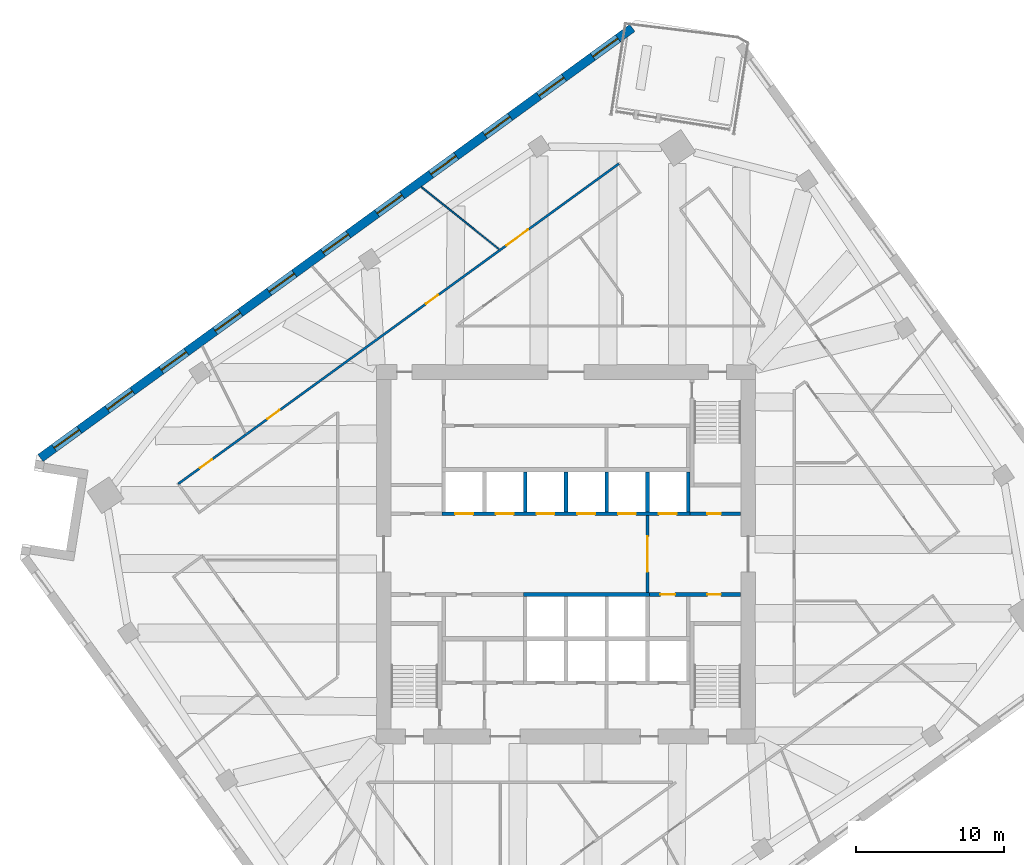
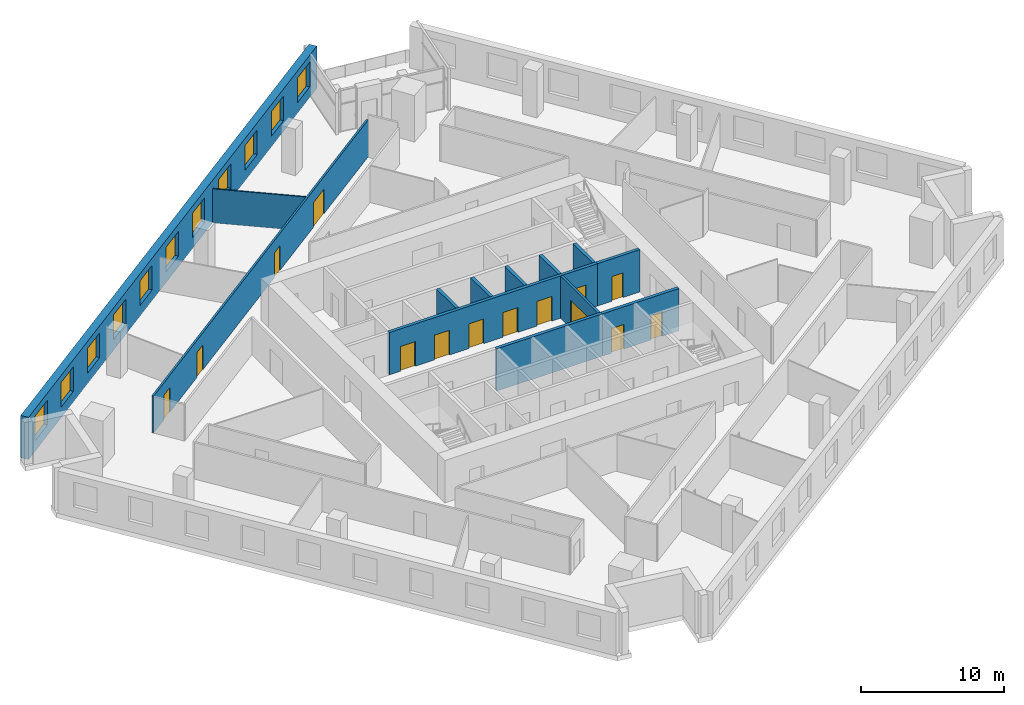
# One storey, part 7 of 11: 14 doors, 13 walls, 11 windows, 25 openings.
"""IFC4 building model written with IfcOpenShell, lengths in metres."""

from ifc_helpers import new_model, si_unit, direction, frame, frame_2d, origin, place, context, subcontext, project, spatial, rectangle, extrude, material, layer, layer_set, type_object, element, fill, save


model = new_model("IFC4")

# Units and contexts
model_context = context("Model", 3, precision=1e-05, world=origin(), true_north=direction((0.0, 1.0)))
body_context = subcontext(model_context, "Body", "Model", "MODEL_VIEW")
ifc_project = project(units=[si_unit("LENGTHUNIT", "METRE"), si_unit("AREAUNIT", "SQUARE_METRE"), si_unit("VOLUMEUNIT", "CUBIC_METRE"), si_unit("PLANEANGLEUNIT", "RADIAN"), si_unit("MASSUNIT", "GRAM", prefix="KILO")], contexts=[model_context])

# Site, building, storey
site_placement = place(None, origin())
site = spatial("IfcSite", under=ifc_project, at=site_placement, CompositionType="ELEMENT")
building_placement = place(site_placement, origin())
building = spatial("IfcBuilding", under=site, at=building_placement, Name="Dilmun Exchange Tower", CompositionType="ELEMENT")
storey_placement = place(building_placement, frame((0.0, 0.0, 167.699951171875)))
storey = spatial("IfcBuildingStorey", under=building, at=storey_placement, Name="L39", CompositionType="ELEMENT", Elevation=167.699951171875)

# Wall, opening, door
ifc_material_1 = material(Name="Concrete C40/50", Category="concrete")
ifc_layer_1 = layer(ifc_material_1, 0.199951171875)
ifc_layer_set_1 = layer_set([ifc_layer_1], Name="Concrete C40/50")
wall_type_1 = type_object("IfcWallType", Name="Core partition wall 200", PredefinedType="PARTITIONING", material=ifc_layer_set_1)
wall_1_placement = place(storey_placement, frame((5.5, -2.594970703125, 0.0), z_axis=(0.0, 0.0, 1.0), x_axis=(0.0, 1.0, 0.0)))
wall_1 = element("IfcWall", 1, at=wall_1_placement, inside=storey, type_object=wall_type_1, Name="L39 core partition wall 11", PredefinedType="PARTITIONING", context=body_context, shape_type="SweptSolid", body=[
    extrude(rectangle(XDim=5.18994140625, YDim=0.199951171875, at=frame_2d((2.594970703125, 0.0))), origin(), (0.0, 0.0, 1.0), 3.60009765625),
])
opening_1_placement = place(wall_1_placement, frame((1.39501953125, 0.0, 0.0)))
opening_1 = element("IfcOpeningElement", 2, at=opening_1_placement, cuts=wall_1, Name="Opening CD1", PredefinedType="OPENING", context=body_context, shape_type="SweptSolid", body=[
    extrude(rectangle(XDim=2.39990234375, YDim=2.39990234375, at=frame_2d((1.199951171875, 1.199951171875))), frame((0.0, 0.10986328125, 0.0), z_axis=(0.0, -1.0, 0.0), x_axis=(1.0, 0.0, 0.0)), (0.0, 0.0, 1.0), 0.219970703125),
])
ifc_material_2 = material(Name="Fire-rated steel door set", Category="steel")
door_type_1 = type_object("IfcDoorType", Name="Core lobby door 2400x2400", OperationType="DOUBLE_DOOR_DOUBLE_SWING", PredefinedType="DOOR", material=ifc_material_2)
door_1_placement = place(opening_1_placement, origin())
door_1 = element("IfcDoor", 3, at=door_1_placement, inside=storey, type_object=door_type_1, Name="L39 door Lift lobby east", OperationType="DOUBLE_DOOR_DOUBLE_SWING", OverallHeight=2.39990234375, OverallWidth=2.39990234375, PredefinedType="DOOR", context=body_context, shape_type="SweptSolid", body=[
    extrude(rectangle(XDim=2.39990234375, YDim=2.39990234375, at=frame_2d((1.199951171875, 1.199951171875))), frame((0.0, 0.02490234375, 0.0), z_axis=(0.0, -1.0, 0.0), x_axis=(1.0, 0.0, 0.0)), (0.0, 0.0, 1.0), 0.050048828125),
])
fill(opening_1, door_1)

# Wall, openings, doors
ifc_layer_2 = layer(ifc_material_1, 0.25)
ifc_layer_set_2 = layer_set([ifc_layer_2], Name="Concrete C40/50")
wall_type_2 = type_object("IfcWallType", Name="Core partition wall 250", PredefinedType="PARTITIONING", material=ifc_layer_set_2)
wall_2_placement = place(storey_placement, frame((5.6298828125, -2.72509765625, 0.0), z_axis=(0.0, 0.0, 1.0), x_axis=(1.0, 0.0, 0.0)))
wall_2 = element("IfcWall", 4, at=wall_2_placement, inside=storey, type_object=wall_type_2, Name="L39 core partition wall 10", PredefinedType="PARTITIONING", context=body_context, shape_type="SweptSolid", body=[
    extrude(rectangle(XDim=6.1650390625, YDim=0.25, at=frame_2d((3.08251953125, 0.0))), origin(), (0.0, 0.0, 1.0), 3.60009765625),
])
opening_2_placement = place(wall_2_placement, frame((0.7451171875, 0.0, 0.0)))
opening_2 = element("IfcOpeningElement", 5, at=opening_2_placement, cuts=wall_2, Name="Opening CD4", PredefinedType="OPENING", context=body_context, shape_type="SweptSolid", body=[
    extrude(rectangle(XDim=1.0, YDim=2.10009765625, at=frame_2d((0.5, 1.050048828125))), frame((0.0, 0.135009765625, 0.0), z_axis=(0.0, -1.0, 0.0), x_axis=(1.0, 0.0, 0.0)), (0.0, 0.0, 1.0), 0.27001953125),
])
opening_3_placement = place(wall_2_placement, frame((3.919921875, 0.0, 0.0)))
opening_3 = element("IfcOpeningElement", 6, at=opening_3_placement, cuts=wall_2, Name="Opening CD6", PredefinedType="OPENING", context=body_context, shape_type="SweptSolid", body=[
    extrude(rectangle(XDim=0.89990234375, YDim=2.10009765625, at=frame_2d((0.449951171875, 1.050048828125))), frame((0.0, 0.135009765625, 0.0), z_axis=(0.0, -1.0, 0.0), x_axis=(1.0, 0.0, 0.0)), (0.0, 0.0, 1.0), 0.27001953125),
])
door_type_2 = type_object("IfcDoorType", Name="Core room door 1000x2100", OperationType="SINGLE_SWING_LEFT", PredefinedType="DOOR", material=ifc_material_2)
door_2_placement = place(opening_2_placement, origin())
door_2 = element("IfcDoor", 7, at=door_2_placement, inside=storey, type_object=door_type_2, Name="L39 door Cleaners' store", OperationType="SINGLE_SWING_RIGHT", OverallHeight=2.10009765625, OverallWidth=1.0, PredefinedType="DOOR", context=body_context, shape_type="SweptSolid", body=[
    extrude(rectangle(XDim=1.0, YDim=2.10009765625, at=frame_2d((0.5, 1.050048828125))), frame((0.0, 0.02490234375, 0.0), z_axis=(0.0, -1.0, 0.0), x_axis=(1.0, 0.0, 0.0)), (0.0, 0.0, 1.0), 0.050048828125),
])
fill(opening_2, door_2)
door_type_3 = type_object("IfcDoorType", Name="Core room door 900x2100", OperationType="SINGLE_SWING_LEFT", PredefinedType="DOOR", material=ifc_material_2)
door_3_placement = place(opening_3_placement, origin())
door_3 = element("IfcDoor", 8, at=door_3_placement, inside=storey, type_object=door_type_3, Name="L39 door Comms riser", OperationType="SINGLE_SWING_RIGHT", OverallHeight=2.10009765625, OverallWidth=0.89990234375, PredefinedType="DOOR", context=body_context, shape_type="SweptSolid", body=[
    extrude(rectangle(XDim=0.89990234375, YDim=2.10009765625, at=frame_2d((0.449951171875, 1.050048828125))), frame((0.0, 0.02490234375, 0.0), z_axis=(0.0, -1.0, 0.0), x_axis=(1.0, 0.0, 0.0)), (0.0, 0.0, 1.0), 0.050048828125),
])
fill(opening_3, door_3)

# Wall, opening, door
wall_3_placement = place(storey_placement, frame((8.3798828125, 2.72509765625, 0.0), z_axis=(0.0, 0.0, 1.0), x_axis=(1.0, 0.0, 0.0)))
wall_3 = element("IfcWall", 9, at=wall_3_placement, inside=storey, type_object=wall_type_2, Name="L39 core partition wall 13", PredefinedType="PARTITIONING", context=body_context, shape_type="SweptSolid", body=[
    extrude(rectangle(XDim=3.4150390625, YDim=0.25, at=frame_2d((1.70751953125, 0.0))), origin(), (0.0, 0.0, 1.0), 3.60009765625),
])
opening_4_placement = place(wall_3_placement, frame((1.169921875, 0.0, 0.0)))
opening_4 = element("IfcOpeningElement", 10, at=opening_4_placement, cuts=wall_3, Name="Opening CD6", PredefinedType="OPENING", context=body_context, shape_type="SweptSolid", body=[
    extrude(rectangle(XDim=0.89990234375, YDim=2.10009765625, at=frame_2d((0.449951171875, 1.050048828125))), frame((0.0, 0.135009765625, 0.0), z_axis=(0.0, -1.0, 0.0), x_axis=(1.0, 0.0, 0.0)), (0.0, 0.0, 1.0), 0.27001953125),
])
door_4_placement = place(opening_4_placement, origin())
door_4 = element("IfcDoor", 11, at=door_4_placement, inside=storey, type_object=door_type_3, Name="L39 door Electrical riser", OperationType="SINGLE_SWING_RIGHT", OverallHeight=2.10009765625, OverallWidth=0.89990234375, PredefinedType="DOOR", context=body_context, shape_type="SweptSolid", body=[
    extrude(rectangle(XDim=0.89990234375, YDim=2.10009765625, at=frame_2d((0.449951171875, 1.050048828125))), frame((0.0, 0.02490234375, 0.0), z_axis=(0.0, -1.0, 0.0), x_axis=(1.0, 0.0, 0.0)), (0.0, 0.0, 1.0), 0.050048828125),
])
fill(opening_4, door_4)

# Wall, openings, doors
ifc_material_3 = material(Name="Corridor wall 150")
ifc_layer_3 = layer(ifc_material_3, 0.14990234375)
ifc_layer_set_3 = layer_set([ifc_layer_3], Name="Corridor wall 150")
wall_type_3 = type_object("IfcWallType", Name="Corridor wall 150", PredefinedType="PARTITIONING", material=ifc_layer_set_3)
wall_4_placement = place(storey_placement, frame((-26.166015625, 4.7490234375, 0.0), z_axis=(0.0, 0.0, 1.0), x_axis=(0.809023795939, 0.587775890628, 0.0)))
wall_4 = element("IfcWall", 12, at=wall_4_placement, inside=storey, type_object=wall_type_3, Name="Corridor wall", PredefinedType="PARTITIONING", context=body_context, shape_type="SweptSolid", body=[
    extrude(rectangle(XDim=36.755615234375, YDim=0.14990234375, at=frame_2d((18.3779296875, 0.0))), origin(), (0.0, 0.0, 1.0), 3.150146484375),
])
opening_5_placement = place(wall_4_placement, frame((1.800048828125, 0.0, 0.0)))
opening_5 = element("IfcOpeningElement", 13, at=opening_5_placement, cuts=wall_4, Name="Opening TF38-D02", PredefinedType="OPENING", context=body_context, shape_type="SweptSolid", body=[
    extrude(rectangle(XDim=1.0, YDim=2.10009765625, at=frame_2d((0.5, 1.050048828125))), frame((0.0, 0.0849609375, 0.0), z_axis=(0.0, -1.0, 0.0), x_axis=(1.0, 0.0, 0.0)), (0.0, 0.0, 1.0), 0.169921875),
])
opening_6_placement = place(wall_4_placement, frame((7.453369140625, 0.0, 0.0)))
opening_6 = element("IfcOpeningElement", 14, at=opening_6_placement, cuts=wall_4, Name="Opening TF38-D04", PredefinedType="OPENING", context=body_context, shape_type="SweptSolid", body=[
    extrude(rectangle(XDim=1.0, YDim=2.10009765625, at=frame_2d((0.5, 1.050048828125))), frame((0.0, 0.0849609375, 0.0), z_axis=(0.0, -1.0, 0.0), x_axis=(1.0, 0.0, 0.0)), (0.0, 0.0, 1.0), 0.169921875),
])
opening_7_placement = place(wall_4_placement, frame((20.670654296875, 0.0, 0.0)))
opening_7 = element("IfcOpeningElement", 15, at=opening_7_placement, cuts=wall_4, Name="Opening TF38-D06", PredefinedType="OPENING", context=body_context, shape_type="SweptSolid", body=[
    extrude(rectangle(XDim=1.0, YDim=2.10009765625, at=frame_2d((0.5, 1.050048828125))), frame((0.0, 0.0849609375, 0.0), z_axis=(0.0, -1.0, 0.0), x_axis=(1.0, 0.0, 0.0)), (0.0, 0.0, 1.0), 0.169921875),
])
opening_8_placement = place(wall_4_placement, frame((27.3818359375, 0.0, 0.0)))
opening_8 = element("IfcOpeningElement", 16, at=opening_8_placement, cuts=wall_4, Name="Opening TF38-D13", PredefinedType="OPENING", context=body_context, shape_type="SweptSolid", body=[
    extrude(rectangle(XDim=1.800048828125, YDim=2.10009765625, at=frame_2d((0.89990234375, 1.050048828125))), frame((0.0, 0.0849609375, 0.0), z_axis=(0.0, -1.0, 0.0), x_axis=(1.0, 0.0, 0.0)), (0.0, 0.0, 1.0), 0.169921875),
])
ifc_material_4 = material(Name="Fire door 1000 x 2100")
door_type_4 = type_object("IfcDoorType", Name="Fire door 1000 x 2100", OperationType="NOTDEFINED", PredefinedType="DOOR", material=ifc_material_4)
door_5_placement = place(opening_5_placement, origin())
door_5 = element("IfcDoor", 17, at=door_5_placement, inside=storey, type_object=door_type_4, Name="Door TF38-D02", OperationType="SINGLE_SWING_RIGHT", OverallHeight=2.10009765625, OverallWidth=1.0, PredefinedType="DOOR", context=body_context, shape_type="SweptSolid", body=[
    extrude(rectangle(XDim=1.0, YDim=2.10009765625, at=frame_2d((0.5, 1.050048828125))), frame((0.0, 0.02490234375, 0.0), z_axis=(0.0, -1.0, 0.0), x_axis=(1.0, 0.0, 0.0)), (0.0, 0.0, 1.0), 0.050048828125),
])
fill(opening_5, door_5)
door_6_placement = place(opening_6_placement, origin())
door_6 = element("IfcDoor", 18, at=door_6_placement, inside=storey, type_object=door_type_4, Name="Door TF38-D04", OperationType="SINGLE_SWING_LEFT", OverallHeight=2.10009765625, OverallWidth=1.0, PredefinedType="DOOR", context=body_context, shape_type="SweptSolid", body=[
    extrude(rectangle(XDim=1.0, YDim=2.10009765625, at=frame_2d((0.5, 1.050048828125))), frame((0.0, 0.02490234375, 0.0), z_axis=(0.0, -1.0, 0.0), x_axis=(1.0, 0.0, 0.0)), (0.0, 0.0, 1.0), 0.050048828125),
])
fill(opening_6, door_6)
door_7_placement = place(opening_7_placement, origin())
door_7 = element("IfcDoor", 19, at=door_7_placement, inside=storey, type_object=door_type_4, Name="Door TF38-D06", OperationType="SINGLE_SWING_LEFT", OverallHeight=2.10009765625, OverallWidth=1.0, PredefinedType="DOOR", context=body_context, shape_type="SweptSolid", body=[
    extrude(rectangle(XDim=1.0, YDim=2.10009765625, at=frame_2d((0.5, 1.050048828125))), frame((0.0, 0.02490234375, 0.0), z_axis=(0.0, -1.0, 0.0), x_axis=(1.0, 0.0, 0.0)), (0.0, 0.0, 1.0), 0.050048828125),
])
fill(opening_7, door_7)
ifc_material_5 = material(Name="Fire door pair 1800 x 2100")
door_type_5 = type_object("IfcDoorType", Name="Fire door pair 1800 x 2100", OperationType="NOTDEFINED", PredefinedType="DOOR", material=ifc_material_5)
door_8_placement = place(opening_8_placement, origin())
door_8 = element("IfcDoor", 20, at=door_8_placement, inside=storey, type_object=door_type_5, Name="Door TF38-D13", OperationType="DOUBLE_DOOR_SINGLE_SWING", OverallHeight=2.10009765625, OverallWidth=1.800048828125, PredefinedType="DOOR", context=body_context, shape_type="SweptSolid", body=[
    extrude(rectangle(XDim=1.800048828125, YDim=2.10009765625, at=frame_2d((0.89990234375, 1.050048828125))), frame((0.0, 0.02490234375, 0.0), z_axis=(0.0, -1.0, 0.0), x_axis=(1.0, 0.0, 0.0)), (0.0, 0.0, 1.0), 0.050048828125),
])
fill(opening_8, door_8)

ifc_layer_4 = layer(ifc_material_1, 0.25)
ifc_layer_set_4 = layer_set([ifc_layer_4], Name="Concrete C40/50")
wall_type_4 = type_object("IfcWallType", Name="Lift shaft wall 250", PredefinedType="SOLIDWALL", material=ifc_layer_set_4)
wall_5_placement = place(storey_placement, frame((-8.375, 2.72509765625, 0.0), z_axis=(0.0, 0.0, 1.0), x_axis=(1.0, 0.0, 0.0)))
wall_5 = element("IfcWall", 21, at=wall_5_placement, inside=storey, type_object=wall_type_4, Name="L39 lift shaft front wall N1", PredefinedType="SOLIDWALL", context=body_context, shape_type="SweptSolid", body=[
    extrude(rectangle(XDim=16.75, YDim=0.25, at=frame_2d((8.375, 0.0))), origin(), (0.0, 0.0, 1.0), 3.60009765625),
])
opening_9_placement = place(wall_5_placement, frame((0.89990234375, 0.0, 0.0)))
opening_9 = element("IfcOpeningElement", 22, at=opening_9_placement, cuts=wall_5, Name="Opening LD", PredefinedType="OPENING", context=body_context, shape_type="SweptSolid", body=[
    extrude(rectangle(XDim=1.199951171875, YDim=2.10009765625, at=frame_2d((0.60009765625, 1.050048828125))), frame((0.0, 0.135009765625, 0.0), z_axis=(0.0, -1.0, 0.0), x_axis=(1.0, 0.0, 0.0)), (0.0, 0.0, 1.0), 0.27001953125),
])
opening_10_placement = place(wall_5_placement, frame((3.64990234375, 0.0, 0.0)))
opening_10 = element("IfcOpeningElement", 23, at=opening_10_placement, cuts=wall_5, Name="Opening LD", PredefinedType="OPENING", context=body_context, shape_type="SweptSolid", body=[
    extrude(rectangle(XDim=1.199951171875, YDim=2.10009765625, at=frame_2d((0.60009765625, 1.050048828125))), frame((0.0, 0.135009765625, 0.0), z_axis=(0.0, -1.0, 0.0), x_axis=(1.0, 0.0, 0.0)), (0.0, 0.0, 1.0), 0.27001953125),
])
opening_11_placement = place(wall_5_placement, frame((6.39990234375, 0.0, 0.0)))
opening_11 = element("IfcOpeningElement", 24, at=opening_11_placement, cuts=wall_5, Name="Opening LD", PredefinedType="OPENING", context=body_context, shape_type="SweptSolid", body=[
    extrude(rectangle(XDim=1.199951171875, YDim=2.10009765625, at=frame_2d((0.60009765625, 1.050048828125))), frame((0.0, 0.135009765625, 0.0), z_axis=(0.0, -1.0, 0.0), x_axis=(1.0, 0.0, 0.0)), (0.0, 0.0, 1.0), 0.27001953125),
])
opening_12_placement = place(wall_5_placement, frame((9.14990234375, 0.0, 0.0)))
opening_12 = element("IfcOpeningElement", 25, at=opening_12_placement, cuts=wall_5, Name="Opening LD", PredefinedType="OPENING", context=body_context, shape_type="SweptSolid", body=[
    extrude(rectangle(XDim=1.199951171875, YDim=2.10009765625, at=frame_2d((0.60009765625, 1.050048828125))), frame((0.0, 0.135009765625, 0.0), z_axis=(0.0, -1.0, 0.0), x_axis=(1.0, 0.0, 0.0)), (0.0, 0.0, 1.0), 0.27001953125),
])
opening_13_placement = place(wall_5_placement, frame((11.89990234375, 0.0, 0.0)))
opening_13 = element("IfcOpeningElement", 26, at=opening_13_placement, cuts=wall_5, Name="Opening LD", PredefinedType="OPENING", context=body_context, shape_type="SweptSolid", body=[
    extrude(rectangle(XDim=1.199951171875, YDim=2.10009765625, at=frame_2d((0.60009765625, 1.050048828125))), frame((0.0, 0.135009765625, 0.0), z_axis=(0.0, -1.0, 0.0), x_axis=(1.0, 0.0, 0.0)), (0.0, 0.0, 1.0), 0.27001953125),
])
opening_14_placement = place(wall_5_placement, frame((14.64990234375, 0.0, 0.0)))
opening_14 = element("IfcOpeningElement", 27, at=opening_14_placement, cuts=wall_5, Name="Opening LD", PredefinedType="OPENING", context=body_context, shape_type="SweptSolid", body=[
    extrude(rectangle(XDim=1.199951171875, YDim=2.10009765625, at=frame_2d((0.60009765625, 1.050048828125))), frame((0.0, 0.135009765625, 0.0), z_axis=(0.0, -1.0, 0.0), x_axis=(1.0, 0.0, 0.0)), (0.0, 0.0, 1.0), 0.27001953125),
])
door_type_6 = type_object("IfcDoorType", Name="Lift landing door 1200x2100", OperationType="DOUBLE_DOOR_SLIDING", PredefinedType="DOOR", material=ifc_material_2)
door_9_placement = place(opening_9_placement, origin())
door_9 = element("IfcDoor", 28, at=door_9_placement, inside=storey, type_object=door_type_6, Name="L39 landing door MR1", OperationType="DOUBLE_DOOR_SLIDING", OverallHeight=2.10009765625, OverallWidth=1.199951171875, PredefinedType="DOOR", context=body_context, shape_type="SweptSolid", body=[
    extrude(rectangle(XDim=1.199951171875, YDim=2.10009765625, at=frame_2d((0.60009765625, 1.050048828125))), frame((0.0, 0.02490234375, 0.0), z_axis=(0.0, -1.0, 0.0), x_axis=(1.0, 0.0, 0.0)), (0.0, 0.0, 1.0), 0.050048828125),
])
fill(opening_9, door_9)
door_10_placement = place(opening_10_placement, origin())
door_10 = element("IfcDoor", 29, at=door_10_placement, inside=storey, type_object=door_type_6, Name="L39 landing door MR2", OperationType="DOUBLE_DOOR_SLIDING", OverallHeight=2.10009765625, OverallWidth=1.199951171875, PredefinedType="DOOR", context=body_context, shape_type="SweptSolid", body=[
    extrude(rectangle(XDim=1.199951171875, YDim=2.10009765625, at=frame_2d((0.60009765625, 1.050048828125))), frame((0.0, 0.02490234375, 0.0), z_axis=(0.0, -1.0, 0.0), x_axis=(1.0, 0.0, 0.0)), (0.0, 0.0, 1.0), 0.050048828125),
])
fill(opening_10, door_10)
door_11_placement = place(opening_11_placement, origin())
door_11 = element("IfcDoor", 30, at=door_11_placement, inside=storey, type_object=door_type_6, Name="L39 landing door MR3", OperationType="DOUBLE_DOOR_SLIDING", OverallHeight=2.10009765625, OverallWidth=1.199951171875, PredefinedType="DOOR", context=body_context, shape_type="SweptSolid", body=[
    extrude(rectangle(XDim=1.199951171875, YDim=2.10009765625, at=frame_2d((0.60009765625, 1.050048828125))), frame((0.0, 0.02490234375, 0.0), z_axis=(0.0, -1.0, 0.0), x_axis=(1.0, 0.0, 0.0)), (0.0, 0.0, 1.0), 0.050048828125),
])
fill(opening_11, door_11)
door_12_placement = place(opening_12_placement, origin())
door_12 = element("IfcDoor", 31, at=door_12_placement, inside=storey, type_object=door_type_6, Name="L39 landing door MR4", OperationType="DOUBLE_DOOR_SLIDING", OverallHeight=2.10009765625, OverallWidth=1.199951171875, PredefinedType="DOOR", context=body_context, shape_type="SweptSolid", body=[
    extrude(rectangle(XDim=1.199951171875, YDim=2.10009765625, at=frame_2d((0.60009765625, 1.050048828125))), frame((0.0, 0.02490234375, 0.0), z_axis=(0.0, -1.0, 0.0), x_axis=(1.0, 0.0, 0.0)), (0.0, 0.0, 1.0), 0.050048828125),
])
fill(opening_12, door_12)
door_13_placement = place(opening_13_placement, origin())
door_13 = element("IfcDoor", 32, at=door_13_placement, inside=storey, type_object=door_type_6, Name="L39 landing door MR5", OperationType="DOUBLE_DOOR_SLIDING", OverallHeight=2.10009765625, OverallWidth=1.199951171875, PredefinedType="DOOR", context=body_context, shape_type="SweptSolid", body=[
    extrude(rectangle(XDim=1.199951171875, YDim=2.10009765625, at=frame_2d((0.60009765625, 1.050048828125))), frame((0.0, 0.02490234375, 0.0), z_axis=(0.0, -1.0, 0.0), x_axis=(1.0, 0.0, 0.0)), (0.0, 0.0, 1.0), 0.050048828125),
])
fill(opening_13, door_13)
door_14_placement = place(opening_14_placement, origin())
door_14 = element("IfcDoor", 33, at=door_14_placement, inside=storey, type_object=door_type_6, Name="L39 landing door MR6", OperationType="DOUBLE_DOOR_SLIDING", OverallHeight=2.10009765625, OverallWidth=1.199951171875, PredefinedType="DOOR", context=body_context, shape_type="SweptSolid", body=[
    extrude(rectangle(XDim=1.199951171875, YDim=2.10009765625, at=frame_2d((0.60009765625, 1.050048828125))), frame((0.0, 0.02490234375, 0.0), z_axis=(0.0, -1.0, 0.0), x_axis=(1.0, 0.0, 0.0)), (0.0, 0.0, 1.0), 0.050048828125),
])
fill(opening_14, door_14)

# Walls
for number, where, z_axis, x_axis, name in (
    (34, (-2.75, 2.85009765625, 0.0), (0.0, 0.0, 1.0), (0.0, 1.0, 0.0), "L39 lift shaft divider N12"),
    (35, (0.0, 2.85009765625, 0.0), (0.0, 0.0, 1.0), (0.0, 1.0, 0.0), "L39 lift shaft divider N13"),
    (36, (2.75, 2.85009765625, 0.0), (0.0, 0.0, 1.0), (0.0, 1.0, 0.0), "L39 lift shaft divider N14"),
    (37, (5.5, 2.85009765625, 0.0), (0.0, 0.0, 1.0), (0.0, 1.0, 0.0), "L39 lift shaft divider N15"),
    (38, (8.25, 2.85009765625, 0.0), (0.0, 0.0, 1.0), (0.0, 1.0, 0.0), "L39 lift shaft divider N16"),
):
    element("IfcWall", number, at=place(storey_placement, frame(where, z_axis=z_axis, x_axis=x_axis)), inside=storey, type_object=wall_type_4, Name=name, PredefinedType="SOLIDWALL", context=body_context, shape_type="SweptSolid", body=[
        extrude(rectangle(XDim=2.699951171875, YDim=0.25, at=frame_2d((1.35009765625, 0.0))), origin(), (0.0, 0.0, 1.0), 3.60009765625),
    ])
wall_6_placement = place(storey_placement, frame((-2.875, -2.72509765625, 0.0), z_axis=(0.0, 0.0, 1.0), x_axis=(1.0, 0.0, 0.0)))
element("IfcWall", 39, at=wall_6_placement, inside=storey, type_object=wall_type_4, Name="L39 lift shaft front wall S1", PredefinedType="SOLIDWALL", context=body_context, shape_type="SweptSolid", body=[
    extrude(rectangle(XDim=8.5, YDim=0.25, at=frame_2d((4.25, 0.0))), origin(), (0.0, 0.0, 1.0), 3.60009765625),
])
ifc_material_6 = material(Name="Partition 100")
ifc_layer_5 = layer(ifc_material_6, 0.10009765625)
ifc_layer_set_5 = layer_set([ifc_layer_5], Name="Partition 100")
wall_type_5 = type_object("IfcWallType", Name="Partition 100", PredefinedType="PARTITIONING", material=ifc_layer_set_5)
wall_7_placement = place(storey_placement, frame((-9.773681640625, 24.787109375, 0.0), z_axis=(0.0, 0.0, 1.0), x_axis=(0.780787363182, -0.624796841778, 0.0)))
element("IfcWall", 40, at=wall_7_placement, inside=storey, type_object=wall_type_5, Name="Partition", PredefinedType="PARTITIONING", context=body_context, shape_type="SweptSolid", body=[
    extrude(rectangle(XDim=6.726806640625, YDim=0.10009765625, at=frame_2d((3.36328125, 0.0))), origin(), (0.0, 0.0, 1.0), 2.900146484375),
])

# Wall, openings, windows
ifc_material_7 = material(Name="Precast concrete C50/60", Category="concrete")
ifc_layer_6 = layer(ifc_material_7, 0.60009765625)
ifc_layer_set_6 = layer_set([ifc_layer_6], Name="Precast concrete C50/60")
wall_type_6 = type_object("IfcWallType", Name="Precast stone-clad wall 600", PredefinedType="STANDARD", material=ifc_layer_set_6)
wall_8_placement = place(storey_placement, frame((4.479736328125, 35.51611328125, 0.0), z_axis=(0.0, 0.0, 1.0), x_axis=(-0.809018017995, -0.587783843398, 0.0)))
wall_8 = element("IfcWall", 41, at=wall_8_placement, inside=storey, type_object=wall_type_6, Name="Facade wall L39-03", PredefinedType="STANDARD", context=body_context, shape_type="SweptSolid", body=[
    extrude(rectangle(XDim=49.375732421875, YDim=0.60009765625, at=frame_2d((24.68798828125, 0.0))), origin(), (0.0, 0.0, 1.0), 3.60009765625),
])
opening_15_placement = place(wall_8_placement, frame((1.199951171875, 0.0, 0.89990234375)))
opening_15 = element("IfcOpeningElement", 42, at=opening_15_placement, cuts=wall_8, Name="Opening W210-210", PredefinedType="OPENING", context=body_context, shape_type="SweptSolid", body=[
    extrude(rectangle(XDim=2.10009765625, YDim=2.10009765625, at=frame_2d((1.050048828125, 1.050048828125))), frame((0.0, 0.31005859375, 0.0), z_axis=(0.0, -1.0, 0.0), x_axis=(1.0, 0.0, 0.0)), (0.0, 0.0, 1.0), 0.6201171875),
])
opening_16_placement = place(wall_8_placement, frame((5.699951171875, 0.0, 0.89990234375)))
opening_16 = element("IfcOpeningElement", 43, at=opening_16_placement, cuts=wall_8, Name="Opening W210-210", PredefinedType="OPENING", context=body_context, shape_type="SweptSolid", body=[
    extrude(rectangle(XDim=2.10009765625, YDim=2.10009765625, at=frame_2d((1.050048828125, 1.050048828125))), frame((0.0, 0.31005859375, 0.0), z_axis=(0.0, -1.0, 0.0), x_axis=(1.0, 0.0, 0.0)), (0.0, 0.0, 1.0), 0.6201171875),
])
opening_17_placement = place(wall_8_placement, frame((10.199951171875, 0.0, 0.89990234375)))
opening_17 = element("IfcOpeningElement", 44, at=opening_17_placement, cuts=wall_8, Name="Opening W210-210", PredefinedType="OPENING", context=body_context, shape_type="SweptSolid", body=[
    extrude(rectangle(XDim=2.10009765625, YDim=2.10009765625, at=frame_2d((1.050048828125, 1.050048828125))), frame((0.0, 0.31005859375, 0.0), z_axis=(0.0, -1.0, 0.0), x_axis=(1.0, 0.0, 0.0)), (0.0, 0.0, 1.0), 0.6201171875),
])
opening_18_placement = place(wall_8_placement, frame((14.699951171875, 0.0, 0.89990234375)))
opening_18 = element("IfcOpeningElement", 45, at=opening_18_placement, cuts=wall_8, Name="Opening W210-210", PredefinedType="OPENING", context=body_context, shape_type="SweptSolid", body=[
    extrude(rectangle(XDim=2.10009765625, YDim=2.10009765625, at=frame_2d((1.050048828125, 1.050048828125))), frame((0.0, 0.31005859375, 0.0), z_axis=(0.0, -1.0, 0.0), x_axis=(1.0, 0.0, 0.0)), (0.0, 0.0, 1.0), 0.6201171875),
])
opening_19_placement = place(wall_8_placement, frame((19.199951171875, 0.0, 0.89990234375)))
opening_19 = element("IfcOpeningElement", 46, at=opening_19_placement, cuts=wall_8, Name="Opening W210-210", PredefinedType="OPENING", context=body_context, shape_type="SweptSolid", body=[
    extrude(rectangle(XDim=2.10009765625, YDim=2.10009765625, at=frame_2d((1.050048828125, 1.050048828125))), frame((0.0, 0.31005859375, 0.0), z_axis=(0.0, -1.0, 0.0), x_axis=(1.0, 0.0, 0.0)), (0.0, 0.0, 1.0), 0.6201171875),
])
opening_20_placement = place(wall_8_placement, frame((23.699951171875, 0.0, 0.89990234375)))
opening_20 = element("IfcOpeningElement", 47, at=opening_20_placement, cuts=wall_8, Name="Opening W210-210", PredefinedType="OPENING", context=body_context, shape_type="SweptSolid", body=[
    extrude(rectangle(XDim=2.10009765625, YDim=2.10009765625, at=frame_2d((1.050048828125, 1.050048828125))), frame((0.0, 0.31005859375, 0.0), z_axis=(0.0, -1.0, 0.0), x_axis=(1.0, 0.0, 0.0)), (0.0, 0.0, 1.0), 0.6201171875),
])
opening_21_placement = place(wall_8_placement, frame((28.199951171875, 0.0, 0.89990234375)))
opening_21 = element("IfcOpeningElement", 48, at=opening_21_placement, cuts=wall_8, Name="Opening W210-210", PredefinedType="OPENING", context=body_context, shape_type="SweptSolid", body=[
    extrude(rectangle(XDim=2.10009765625, YDim=2.10009765625, at=frame_2d((1.050048828125, 1.050048828125))), frame((0.0, 0.31005859375, 0.0), z_axis=(0.0, -1.0, 0.0), x_axis=(1.0, 0.0, 0.0)), (0.0, 0.0, 1.0), 0.6201171875),
])
opening_22_placement = place(wall_8_placement, frame((32.699951171875, 0.0, 0.89990234375)))
opening_22 = element("IfcOpeningElement", 49, at=opening_22_placement, cuts=wall_8, Name="Opening W210-210", PredefinedType="OPENING", context=body_context, shape_type="SweptSolid", body=[
    extrude(rectangle(XDim=2.10009765625, YDim=2.10009765625, at=frame_2d((1.050048828125, 1.050048828125))), frame((0.0, 0.31005859375, 0.0), z_axis=(0.0, -1.0, 0.0), x_axis=(1.0, 0.0, 0.0)), (0.0, 0.0, 1.0), 0.6201171875),
])
opening_23_placement = place(wall_8_placement, frame((37.199951171875, 0.0, 0.89990234375)))
opening_23 = element("IfcOpeningElement", 50, at=opening_23_placement, cuts=wall_8, Name="Opening W210-210", PredefinedType="OPENING", context=body_context, shape_type="SweptSolid", body=[
    extrude(rectangle(XDim=2.10009765625, YDim=2.10009765625, at=frame_2d((1.050048828125, 1.050048828125))), frame((0.0, 0.31005859375, 0.0), z_axis=(0.0, -1.0, 0.0), x_axis=(1.0, 0.0, 0.0)), (0.0, 0.0, 1.0), 0.6201171875),
])
opening_24_placement = place(wall_8_placement, frame((41.699951171875, 0.0, 0.89990234375)))
opening_24 = element("IfcOpeningElement", 51, at=opening_24_placement, cuts=wall_8, Name="Opening W210-210", PredefinedType="OPENING", context=body_context, shape_type="SweptSolid", body=[
    extrude(rectangle(XDim=2.10009765625, YDim=2.10009765625, at=frame_2d((1.050048828125, 1.050048828125))), frame((0.0, 0.31005859375, 0.0), z_axis=(0.0, -1.0, 0.0), x_axis=(1.0, 0.0, 0.0)), (0.0, 0.0, 1.0), 0.6201171875),
])
opening_25_placement = place(wall_8_placement, frame((46.137939453125, 0.0, 0.89990234375)))
opening_25 = element("IfcOpeningElement", 52, at=opening_25_placement, cuts=wall_8, Name="Opening W210-210", PredefinedType="OPENING", context=body_context, shape_type="SweptSolid", body=[
    extrude(rectangle(XDim=2.10009765625, YDim=2.10009765625, at=frame_2d((1.050048828125, 1.050048828125))), frame((0.0, 0.31005859375, 0.0), z_axis=(0.0, -1.0, 0.0), x_axis=(1.0, 0.0, 0.0)), (0.0, 0.0, 1.0), 0.6201171875),
])
ifc_material_8 = material(Name="Clear low-emissivity glass in aluminium frame", Category="aluminium")
window_type = type_object("IfcWindowType", Name="Punched window 2100 x 2100", PartitioningType="DOUBLE_PANEL_VERTICAL", PredefinedType="WINDOW", material=ifc_material_8)
window_1_placement = place(opening_15_placement, origin())
window_1 = element("IfcWindow", 53, at=window_1_placement, inside=storey, type_object=window_type, Name="Window 4.1", OverallHeight=2.10009765625, OverallWidth=2.10009765625, PartitioningType="SINGLE_PANEL", PredefinedType="WINDOW", context=body_context, shape_type="SweptSolid", body=[
    extrude(rectangle(XDim=2.10009765625, YDim=2.10009765625, at=frame_2d((1.050048828125, 1.050048828125))), frame((0.0, 0.030029296875, 0.0), z_axis=(0.0, -1.0, 0.0), x_axis=(1.0, 0.0, 0.0)), (0.0, 0.0, 1.0), 0.06005859375),
])
fill(opening_15, window_1)
window_2_placement = place(opening_16_placement, origin())
window_2 = element("IfcWindow", 54, at=window_2_placement, inside=storey, type_object=window_type, Name="Window 4.2", OverallHeight=2.10009765625, OverallWidth=2.10009765625, PartitioningType="SINGLE_PANEL", PredefinedType="WINDOW", context=body_context, shape_type="SweptSolid", body=[
    extrude(rectangle(XDim=2.10009765625, YDim=2.10009765625, at=frame_2d((1.050048828125, 1.050048828125))), frame((0.0, 0.030029296875, 0.0), z_axis=(0.0, -1.0, 0.0), x_axis=(1.0, 0.0, 0.0)), (0.0, 0.0, 1.0), 0.06005859375),
])
fill(opening_16, window_2)
window_3_placement = place(opening_17_placement, origin())
window_3 = element("IfcWindow", 55, at=window_3_placement, inside=storey, type_object=window_type, Name="Window 4.3", OverallHeight=2.10009765625, OverallWidth=2.10009765625, PartitioningType="SINGLE_PANEL", PredefinedType="WINDOW", context=body_context, shape_type="SweptSolid", body=[
    extrude(rectangle(XDim=2.10009765625, YDim=2.10009765625, at=frame_2d((1.050048828125, 1.050048828125))), frame((0.0, 0.030029296875, 0.0), z_axis=(0.0, -1.0, 0.0), x_axis=(1.0, 0.0, 0.0)), (0.0, 0.0, 1.0), 0.06005859375),
])
fill(opening_17, window_3)
window_4_placement = place(opening_18_placement, origin())
window_4 = element("IfcWindow", 56, at=window_4_placement, inside=storey, type_object=window_type, Name="Window 4.4", OverallHeight=2.10009765625, OverallWidth=2.10009765625, PartitioningType="SINGLE_PANEL", PredefinedType="WINDOW", context=body_context, shape_type="SweptSolid", body=[
    extrude(rectangle(XDim=2.10009765625, YDim=2.10009765625, at=frame_2d((1.050048828125, 1.050048828125))), frame((0.0, 0.030029296875, 0.0), z_axis=(0.0, -1.0, 0.0), x_axis=(1.0, 0.0, 0.0)), (0.0, 0.0, 1.0), 0.06005859375),
])
fill(opening_18, window_4)
window_5_placement = place(opening_19_placement, origin())
window_5 = element("IfcWindow", 57, at=window_5_placement, inside=storey, type_object=window_type, Name="Window 4.5", OverallHeight=2.10009765625, OverallWidth=2.10009765625, PartitioningType="SINGLE_PANEL", PredefinedType="WINDOW", context=body_context, shape_type="SweptSolid", body=[
    extrude(rectangle(XDim=2.10009765625, YDim=2.10009765625, at=frame_2d((1.050048828125, 1.050048828125))), frame((0.0, 0.030029296875, 0.0), z_axis=(0.0, -1.0, 0.0), x_axis=(1.0, 0.0, 0.0)), (0.0, 0.0, 1.0), 0.06005859375),
])
fill(opening_19, window_5)
window_6_placement = place(opening_20_placement, origin())
window_6 = element("IfcWindow", 58, at=window_6_placement, inside=storey, type_object=window_type, Name="Window 4.6", OverallHeight=2.10009765625, OverallWidth=2.10009765625, PartitioningType="SINGLE_PANEL", PredefinedType="WINDOW", context=body_context, shape_type="SweptSolid", body=[
    extrude(rectangle(XDim=2.10009765625, YDim=2.10009765625, at=frame_2d((1.050048828125, 1.050048828125))), frame((0.0, 0.030029296875, 0.0), z_axis=(0.0, -1.0, 0.0), x_axis=(1.0, 0.0, 0.0)), (0.0, 0.0, 1.0), 0.06005859375),
])
fill(opening_20, window_6)
window_7_placement = place(opening_21_placement, origin())
window_7 = element("IfcWindow", 59, at=window_7_placement, inside=storey, type_object=window_type, Name="Window 4.7", OverallHeight=2.10009765625, OverallWidth=2.10009765625, PartitioningType="SINGLE_PANEL", PredefinedType="WINDOW", context=body_context, shape_type="SweptSolid", body=[
    extrude(rectangle(XDim=2.10009765625, YDim=2.10009765625, at=frame_2d((1.050048828125, 1.050048828125))), frame((0.0, 0.030029296875, 0.0), z_axis=(0.0, -1.0, 0.0), x_axis=(1.0, 0.0, 0.0)), (0.0, 0.0, 1.0), 0.06005859375),
])
fill(opening_21, window_7)
window_8_placement = place(opening_22_placement, origin())
window_8 = element("IfcWindow", 60, at=window_8_placement, inside=storey, type_object=window_type, Name="Window 4.8", OverallHeight=2.10009765625, OverallWidth=2.10009765625, PartitioningType="SINGLE_PANEL", PredefinedType="WINDOW", context=body_context, shape_type="SweptSolid", body=[
    extrude(rectangle(XDim=2.10009765625, YDim=2.10009765625, at=frame_2d((1.050048828125, 1.050048828125))), frame((0.0, 0.030029296875, 0.0), z_axis=(0.0, -1.0, 0.0), x_axis=(1.0, 0.0, 0.0)), (0.0, 0.0, 1.0), 0.06005859375),
])
fill(opening_22, window_8)
window_9_placement = place(opening_23_placement, origin())
window_9 = element("IfcWindow", 61, at=window_9_placement, inside=storey, type_object=window_type, Name="Window 4.9", OverallHeight=2.10009765625, OverallWidth=2.10009765625, PartitioningType="SINGLE_PANEL", PredefinedType="WINDOW", context=body_context, shape_type="SweptSolid", body=[
    extrude(rectangle(XDim=2.10009765625, YDim=2.10009765625, at=frame_2d((1.050048828125, 1.050048828125))), frame((0.0, 0.030029296875, 0.0), z_axis=(0.0, -1.0, 0.0), x_axis=(1.0, 0.0, 0.0)), (0.0, 0.0, 1.0), 0.06005859375),
])
fill(opening_23, window_9)
window_10_placement = place(opening_24_placement, origin())
window_10 = element("IfcWindow", 62, at=window_10_placement, inside=storey, type_object=window_type, Name="Window 4.10", OverallHeight=2.10009765625, OverallWidth=2.10009765625, PartitioningType="SINGLE_PANEL", PredefinedType="WINDOW", context=body_context, shape_type="SweptSolid", body=[
    extrude(rectangle(XDim=2.10009765625, YDim=2.10009765625, at=frame_2d((1.050048828125, 1.050048828125))), frame((0.0, 0.030029296875, 0.0), z_axis=(0.0, -1.0, 0.0), x_axis=(1.0, 0.0, 0.0)), (0.0, 0.0, 1.0), 0.06005859375),
])
fill(opening_24, window_10)
window_11_placement = place(opening_25_placement, origin())
window_11 = element("IfcWindow", 63, at=window_11_placement, inside=storey, type_object=window_type, Name="Window 4.11", OverallHeight=2.10009765625, OverallWidth=2.10009765625, PartitioningType="SINGLE_PANEL", PredefinedType="WINDOW", context=body_context, shape_type="SweptSolid", body=[
    extrude(rectangle(XDim=2.10009765625, YDim=2.10009765625, at=frame_2d((1.050048828125, 1.050048828125))), frame((0.0, 0.030029296875, 0.0), z_axis=(0.0, -1.0, 0.0), x_axis=(1.0, 0.0, 0.0)), (0.0, 0.0, 1.0), 0.06005859375),
])
fill(opening_25, window_11)

save(model, "model.ifc")
